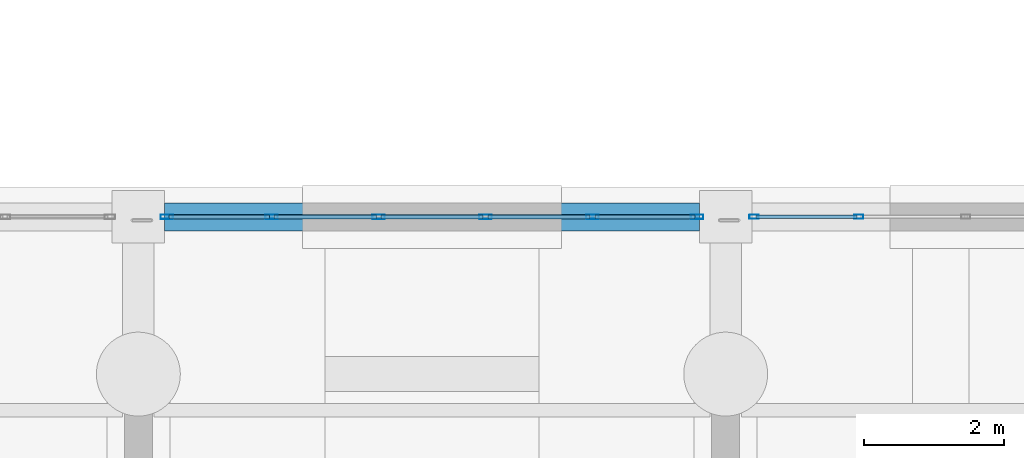
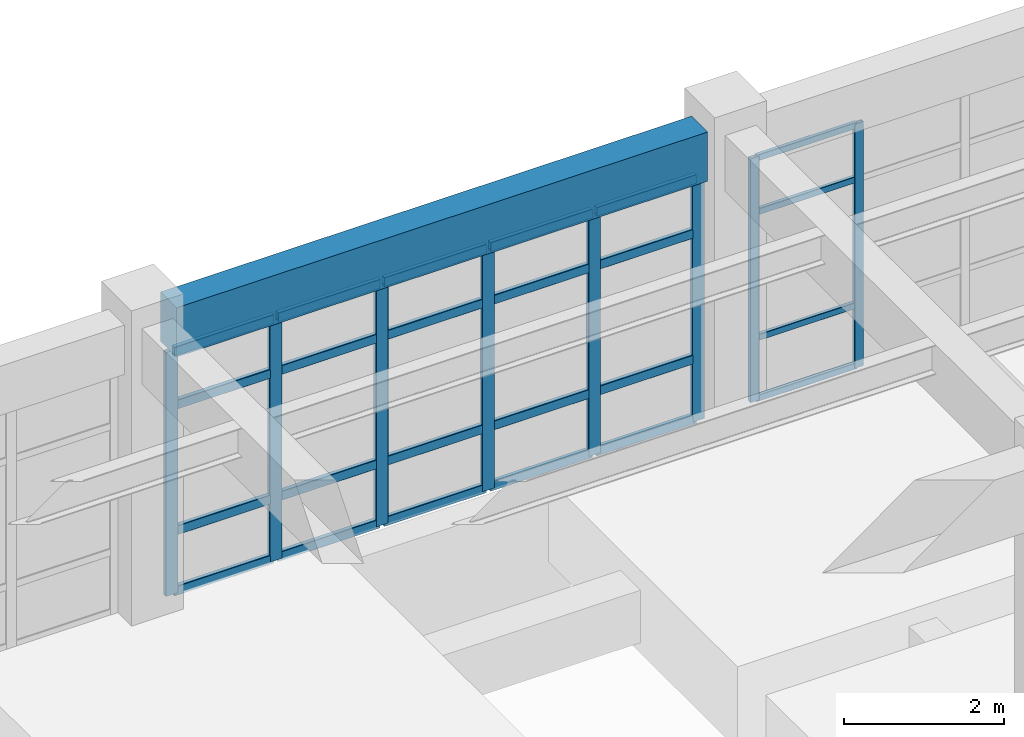
# One storey, part 39 of 111: 32 members, 1 beam, 2 elements without a shape of their own.
"""IFC4 building model written with IfcOpenShell, lengths in metres."""

from ifc_helpers import new_model, si_unit, direction, frame, origin, origin_2d, place, context, subcontext, project, spatial, rectangle, hollow_rectangle, extrude, material, material_profile, profile_set, type_object, element, aggregate, save


model = new_model("IFC4")

# Units and contexts
model_context = context("Model", 3, precision=1e-05, world=origin(), true_north=direction((0.0, 1.0)))
body_context = subcontext(model_context, "Body", "Model", "MODEL_VIEW")
ifc_project = project(units=[si_unit("LENGTHUNIT", "METRE"), si_unit("AREAUNIT", "SQUARE_METRE"), si_unit("VOLUMEUNIT", "CUBIC_METRE"), si_unit("PLANEANGLEUNIT", "RADIAN"), si_unit("MASSUNIT", "GRAM", prefix="KILO")], contexts=[model_context])

# Site, building, storey
site_placement = place(None, origin())
site = spatial("IfcSite", under=ifc_project, at=site_placement, CompositionType="ELEMENT")
building_placement = place(site_placement, origin())
building = spatial("IfcBuilding", under=site, at=building_placement, Name="Canglan Escarpment Cableway Terminal", CompositionType="ELEMENT")
storey_placement = place(building_placement, frame((0.0, 0.0, 4.800048828125)))
storey = spatial("IfcBuildingStorey", under=building, at=storey_placement, Name="L01", CompositionType="ELEMENT", Elevation=4.800048828125)

# Curtain wall, members
ifc_material_1 = material(Name="Anodized bronze aluminium and Low-E double glazing", Category="aluminium")
curtain_wall_type = type_object("IfcCurtainWallType", Name="CW-BAY-7650x3725", PredefinedType="NOTDEFINED", material=ifc_material_1)
curtain_wall_1_placement = place(storey_placement, origin())
curtain_wall_1 = element("IfcCurtainWall", 1, at=curtain_wall_1_placement, inside=storey, type_object=curtain_wall_type, Name="Classical bay-between-piers glazed curtain wall CW-01", PredefinedType="NOTDEFINED")
ifc_material_2 = material(Name="Thermally broken anodized aluminium 6063-T6", Category="aluminium")
ifc_material_profile_1 = material_profile(ifc_material_2, hollow_rectangle(XDim=0.06005859375, YDim=0.1298828125, WallThickness=0.0029296875, InnerFilletRadius=0.0029296875, OuterFilletRadius=0.006103515625, at=origin_2d()), Name="ALU-MULL 60x130x3")
ifc_profile_set_1 = profile_set([ifc_material_profile_1], Name="Thermally broken anodized aluminium 6063-T6")
member_type_1 = type_object("IfcMemberType", Name="CWM-01", PredefinedType="MULLION", material=ifc_profile_set_1)
member_1_placement = place(storey_placement, frame((130.205078125, 33.10009765625, 0.0), z_axis=(0.0, 0.0, 1.0), x_axis=(0.0, -1.0, 0.0)))
member_1 = element("IfcMember", 2, at=member_1_placement, type_object=member_type_1, Name="CW-01 mullion 5", PredefinedType="MULLION", context=body_context, shape_type="SweptSolid", body=[
    extrude(hollow_rectangle(XDim=0.06005859375, YDim=0.1298828125, WallThickness=0.0029296875, InnerFilletRadius=0.0029296875, OuterFilletRadius=0.006103515625, at=origin_2d()), origin(), (0.0, 0.0, 1.0), 3.71484375),
])
member_2_placement = place(storey_placement, frame((128.705078125, 33.10009765625, 0.0), z_axis=(0.0, 0.0, 1.0), x_axis=(0.0, -1.0, 0.0)))
member_2 = element("IfcMember", 3, at=member_2_placement, type_object=member_type_1, Name="CW-01 mullion 6", PredefinedType="MULLION", context=body_context, shape_type="SweptSolid", body=[
    extrude(hollow_rectangle(XDim=0.06005859375, YDim=0.1298828125, WallThickness=0.0029296875, InnerFilletRadius=0.0029296875, OuterFilletRadius=0.006103515625, at=origin_2d()), origin(), (0.0, 0.0, 1.0), 3.71484375),
])

curtain_wall_2_placement = place(storey_placement, origin())
curtain_wall_2 = element("IfcCurtainWall", 4, at=curtain_wall_2_placement, inside=storey, type_object=curtain_wall_type, Name="Classical bay-between-piers glazed curtain wall CW-01", PredefinedType="NOTDEFINED")
ifc_material_profile_2 = material_profile(ifc_material_2, hollow_rectangle(XDim=0.06494140625, YDim=0.179931640625, WallThickness=0.00390625, InnerFilletRadius=0.00390625, OuterFilletRadius=0.008056640625, at=origin_2d()), Name="ALU-MULL 65x180x4")
ifc_profile_set_2 = profile_set([ifc_material_profile_2], Name="Thermally broken anodized aluminium 6063-T6")
member_type_2 = type_object("IfcMemberType", Name="CWM-03", PredefinedType="MULLION", material=ifc_profile_set_2)
member_3_placement = place(storey_placement, frame((127.892578125, 33.10009765625, 0.0), z_axis=(0.0, 0.0, 1.0), x_axis=(0.0, -1.0, 0.0)))
member_3 = element("IfcMember", 5, at=member_3_placement, type_object=member_type_2, Name="CW-01 mullion 1", PredefinedType="MULLION", context=body_context, shape_type="SweptSolid", body=[
    extrude(hollow_rectangle(XDim=0.06494140625, YDim=0.179931640625, WallThickness=0.00390625, InnerFilletRadius=0.00390625, OuterFilletRadius=0.008056640625, at=origin_2d()), origin(), (0.0, 0.0, 1.0), 3.71484375),
])
member_4_placement = place(storey_placement, frame((126.39501953125, 33.10009765625, 0.0), z_axis=(0.0, 0.0, 1.0), x_axis=(0.0, -1.0, 0.0)))
member_4 = element("IfcMember", 6, at=member_4_placement, type_object=member_type_2, Name="CW-01 mullion 2", PredefinedType="MULLION", context=body_context, shape_type="SweptSolid", body=[
    extrude(hollow_rectangle(XDim=0.06494140625, YDim=0.179931640625, WallThickness=0.00390625, InnerFilletRadius=0.00390625, OuterFilletRadius=0.008056640625, at=origin_2d()), origin(), (0.0, 0.0, 1.0), 3.71484375),
])
member_5_placement = place(storey_placement, frame((124.864990234375, 33.10009765625, 0.0), z_axis=(0.0, 0.0, 1.0), x_axis=(0.0, -1.0, 0.0)))
member_5 = element("IfcMember", 7, at=member_5_placement, type_object=member_type_2, Name="CW-01 mullion 3", PredefinedType="MULLION", context=body_context, shape_type="SweptSolid", body=[
    extrude(hollow_rectangle(XDim=0.06494140625, YDim=0.179931640625, WallThickness=0.00390625, InnerFilletRadius=0.00390625, OuterFilletRadius=0.008056640625, at=origin_2d()), origin(), (0.0, 0.0, 1.0), 3.71484375),
])
member_6_placement = place(storey_placement, frame((123.3349609375, 33.10009765625, 0.0), z_axis=(0.0, 0.0, 1.0), x_axis=(0.0, -1.0, 0.0)))
member_6 = element("IfcMember", 8, at=member_6_placement, type_object=member_type_2, Name="CW-01 mullion 4", PredefinedType="MULLION", context=body_context, shape_type="SweptSolid", body=[
    extrude(hollow_rectangle(XDim=0.06494140625, YDim=0.179931640625, WallThickness=0.00390625, InnerFilletRadius=0.00390625, OuterFilletRadius=0.008056640625, at=origin_2d()), origin(), (0.0, 0.0, 1.0), 3.71484375),
])
member_7_placement = place(storey_placement, frame((121.804931640625, 33.10009765625, 0.0), z_axis=(0.0, 0.0, 1.0), x_axis=(0.0, -1.0, 0.0)))
member_7 = element("IfcMember", 9, at=member_7_placement, type_object=member_type_2, Name="CW-01 mullion 5", PredefinedType="MULLION", context=body_context, shape_type="SweptSolid", body=[
    extrude(hollow_rectangle(XDim=0.06494140625, YDim=0.179931640625, WallThickness=0.00390625, InnerFilletRadius=0.00390625, OuterFilletRadius=0.008056640625, at=origin_2d()), origin(), (0.0, 0.0, 1.0), 3.71484375),
])
member_8_placement = place(storey_placement, frame((120.3076171875, 33.10009765625, 0.0), z_axis=(0.0, 0.0, 1.0), x_axis=(0.0, -1.0, 0.0)))
member_8 = element("IfcMember", 10, at=member_8_placement, type_object=member_type_2, Name="CW-01 mullion 6", PredefinedType="MULLION", context=body_context, shape_type="SweptSolid", body=[
    extrude(hollow_rectangle(XDim=0.06494140625, YDim=0.179931640625, WallThickness=0.00390625, InnerFilletRadius=0.00390625, OuterFilletRadius=0.008056640625, at=origin_2d()), origin(), (0.0, 0.0, 1.0), 3.71484375),
])

# Member
ifc_material_profile_3 = material_profile(ifc_material_2, hollow_rectangle(XDim=0.054931640625, YDim=0.094970703125, WallThickness=0.0029296875, InnerFilletRadius=0.0029296875, OuterFilletRadius=0.006103515625, at=origin_2d()), Name="ALU-TRAN 55x95x3")
ifc_profile_set_3 = profile_set([ifc_material_profile_3], Name="Thermally broken anodized aluminium 6063-T6")
member_type_3 = type_object("IfcMemberType", Name="CWT-01", PredefinedType="USERDEFINED", material=ifc_profile_set_3)
member_9_placement = place(storey_placement, frame((130.175048828125, 33.10009765625, 0.02734375), z_axis=(-1.0, 0.0, 0.0), x_axis=(0.0, -1.0, 0.0)))
member_9 = element("IfcMember", 11, at=member_9_placement, type_object=member_type_3, Name="CW-01 transom 5.1", ObjectType="TRANSOM", PredefinedType="USERDEFINED", context=body_context, shape_type="SweptSolid", body=[
    extrude(hollow_rectangle(XDim=0.054931640625, YDim=0.094970703125, WallThickness=0.0029296875, InnerFilletRadius=0.0029296875, OuterFilletRadius=0.006103515625, at=origin_2d()), origin(), (0.0, 0.0, 1.0), 1.43994140625),
])

member_10_placement = place(storey_placement, frame((130.175048828125, 33.10009765625, 0.949951171875), z_axis=(-1.0, 0.0, 0.0), x_axis=(0.0, -1.0, 0.0)))
member_10 = element("IfcMember", 12, at=member_10_placement, type_object=member_type_3, Name="CW-01 transom 5.2", ObjectType="TRANSOM", PredefinedType="USERDEFINED", context=body_context, shape_type="SweptSolid", body=[
    extrude(hollow_rectangle(XDim=0.054931640625, YDim=0.094970703125, WallThickness=0.0029296875, InnerFilletRadius=0.0029296875, OuterFilletRadius=0.006103515625, at=origin_2d()), origin(), (0.0, 0.0, 1.0), 1.43994140625),
])

member_11_placement = place(storey_placement, frame((130.175048828125, 33.10009765625, 2.864990234375), z_axis=(-1.0, 0.0, 0.0), x_axis=(0.0, -1.0, 0.0)))
member_11 = element("IfcMember", 13, at=member_11_placement, type_object=member_type_3, Name="CW-01 transom 5.3", ObjectType="TRANSOM", PredefinedType="USERDEFINED", context=body_context, shape_type="SweptSolid", body=[
    extrude(hollow_rectangle(XDim=0.054931640625, YDim=0.094970703125, WallThickness=0.0029296875, InnerFilletRadius=0.0029296875, OuterFilletRadius=0.006103515625, at=origin_2d()), origin(), (0.0, 0.0, 1.0), 1.43994140625),
])

member_12_placement = place(storey_placement, frame((130.175048828125, 33.10009765625, 3.6875), z_axis=(-1.0, 0.0, 0.0), x_axis=(0.0, -1.0, 0.0)))
member_12 = element("IfcMember", 14, at=member_12_placement, type_object=member_type_3, Name="CW-01 transom 5.4", ObjectType="TRANSOM", PredefinedType="USERDEFINED", context=body_context, shape_type="SweptSolid", body=[
    extrude(hollow_rectangle(XDim=0.054931640625, YDim=0.094970703125, WallThickness=0.0029296875, InnerFilletRadius=0.0029296875, OuterFilletRadius=0.006103515625, at=origin_2d()), origin(), (0.0, 0.0, 1.0), 1.43994140625),
])

aggregate(curtain_wall_1, [member_1, member_2, member_9, member_10, member_11, member_12])

ifc_material_profile_4 = material_profile(ifc_material_2, hollow_rectangle(XDim=0.06494140625, YDim=0.139892578125, WallThickness=0.00341796875, InnerFilletRadius=0.00341796875, OuterFilletRadius=0.007080078125, at=origin_2d()), Name="ALU-TRAN 65x140x3.5")
ifc_profile_set_4 = profile_set([ifc_material_profile_4], Name="Thermally broken anodized aluminium 6063-T6")
member_type_4 = type_object("IfcMemberType", Name="CWT-03", PredefinedType="USERDEFINED", material=ifc_profile_set_4)
member_13_placement = place(storey_placement, frame((127.860107421875, 33.10009765625, 0.032470703125), z_axis=(-1.0, 0.0, 0.0), x_axis=(0.0, -1.0, 0.0)))
member_13 = element("IfcMember", 15, at=member_13_placement, type_object=member_type_4, Name="CW-01 transom 1.1", ObjectType="TRANSOM", PredefinedType="USERDEFINED", context=body_context, shape_type="SweptSolid", body=[
    extrude(hollow_rectangle(XDim=0.06494140625, YDim=0.139892578125, WallThickness=0.00341796875, InnerFilletRadius=0.00341796875, OuterFilletRadius=0.007080078125, at=origin_2d()), origin(), (0.0, 0.0, 1.0), 1.4326171875),
])

member_14_placement = place(storey_placement, frame((127.860107421875, 33.10009765625, 0.949951171875), z_axis=(-1.0, 0.0, 0.0), x_axis=(0.0, -1.0, 0.0)))
member_14 = element("IfcMember", 16, at=member_14_placement, type_object=member_type_4, Name="CW-01 transom 1.2", ObjectType="TRANSOM", PredefinedType="USERDEFINED", context=body_context, shape_type="SweptSolid", body=[
    extrude(hollow_rectangle(XDim=0.06494140625, YDim=0.139892578125, WallThickness=0.00341796875, InnerFilletRadius=0.00341796875, OuterFilletRadius=0.007080078125, at=origin_2d()), origin(), (0.0, 0.0, 1.0), 1.4326171875),
])

member_15_placement = place(storey_placement, frame((127.860107421875, 33.10009765625, 2.864990234375), z_axis=(-1.0, 0.0, 0.0), x_axis=(0.0, -1.0, 0.0)))
member_15 = element("IfcMember", 17, at=member_15_placement, type_object=member_type_4, Name="CW-01 transom 1.3", ObjectType="TRANSOM", PredefinedType="USERDEFINED", context=body_context, shape_type="SweptSolid", body=[
    extrude(hollow_rectangle(XDim=0.06494140625, YDim=0.139892578125, WallThickness=0.00341796875, InnerFilletRadius=0.00341796875, OuterFilletRadius=0.007080078125, at=origin_2d()), origin(), (0.0, 0.0, 1.0), 1.4326171875),
])

member_16_placement = place(storey_placement, frame((127.860107421875, 33.10009765625, 3.682373046875), z_axis=(-1.0, 0.0, 0.0), x_axis=(0.0, -1.0, 0.0)))
member_16 = element("IfcMember", 18, at=member_16_placement, type_object=member_type_4, Name="CW-01 transom 1.4", ObjectType="TRANSOM", PredefinedType="USERDEFINED", context=body_context, shape_type="SweptSolid", body=[
    extrude(hollow_rectangle(XDim=0.06494140625, YDim=0.139892578125, WallThickness=0.00341796875, InnerFilletRadius=0.00341796875, OuterFilletRadius=0.007080078125, at=origin_2d()), origin(), (0.0, 0.0, 1.0), 1.4326171875),
])

member_17_placement = place(storey_placement, frame((126.362548828125, 33.10009765625, 0.032470703125), z_axis=(-1.0, 0.0, 0.0), x_axis=(0.0, -1.0, 0.0)))
member_17 = element("IfcMember", 19, at=member_17_placement, type_object=member_type_4, Name="CW-01 transom 2.1", ObjectType="TRANSOM", PredefinedType="USERDEFINED", context=body_context, shape_type="SweptSolid", body=[
    extrude(hollow_rectangle(XDim=0.06494140625, YDim=0.139892578125, WallThickness=0.00341796875, InnerFilletRadius=0.00341796875, OuterFilletRadius=0.007080078125, at=origin_2d()), origin(), (0.0, 0.0, 1.0), 1.465087890625),
])

member_18_placement = place(storey_placement, frame((126.362548828125, 33.10009765625, 0.949951171875), z_axis=(-1.0, 0.0, 0.0), x_axis=(0.0, -1.0, 0.0)))
member_18 = element("IfcMember", 20, at=member_18_placement, type_object=member_type_4, Name="CW-01 transom 2.2", ObjectType="TRANSOM", PredefinedType="USERDEFINED", context=body_context, shape_type="SweptSolid", body=[
    extrude(hollow_rectangle(XDim=0.06494140625, YDim=0.139892578125, WallThickness=0.00341796875, InnerFilletRadius=0.00341796875, OuterFilletRadius=0.007080078125, at=origin_2d()), origin(), (0.0, 0.0, 1.0), 1.465087890625),
])

member_19_placement = place(storey_placement, frame((126.362548828125, 33.10009765625, 2.864990234375), z_axis=(-1.0, 0.0, 0.0), x_axis=(0.0, -1.0, 0.0)))
member_19 = element("IfcMember", 21, at=member_19_placement, type_object=member_type_4, Name="CW-01 transom 2.3", ObjectType="TRANSOM", PredefinedType="USERDEFINED", context=body_context, shape_type="SweptSolid", body=[
    extrude(hollow_rectangle(XDim=0.06494140625, YDim=0.139892578125, WallThickness=0.00341796875, InnerFilletRadius=0.00341796875, OuterFilletRadius=0.007080078125, at=origin_2d()), origin(), (0.0, 0.0, 1.0), 1.465087890625),
])

member_20_placement = place(storey_placement, frame((126.362548828125, 33.10009765625, 3.682373046875), z_axis=(-1.0, 0.0, 0.0), x_axis=(0.0, -1.0, 0.0)))
member_20 = element("IfcMember", 22, at=member_20_placement, type_object=member_type_4, Name="CW-01 transom 2.4", ObjectType="TRANSOM", PredefinedType="USERDEFINED", context=body_context, shape_type="SweptSolid", body=[
    extrude(hollow_rectangle(XDim=0.06494140625, YDim=0.139892578125, WallThickness=0.00341796875, InnerFilletRadius=0.00341796875, OuterFilletRadius=0.007080078125, at=origin_2d()), origin(), (0.0, 0.0, 1.0), 1.465087890625),
])

member_21_placement = place(storey_placement, frame((124.83251953125, 33.10009765625, 0.032470703125), z_axis=(-1.0, 0.0, 0.0), x_axis=(0.0, -1.0, 0.0)))
member_21 = element("IfcMember", 23, at=member_21_placement, type_object=member_type_4, Name="CW-01 transom 3.1", ObjectType="TRANSOM", PredefinedType="USERDEFINED", context=body_context, shape_type="SweptSolid", body=[
    extrude(hollow_rectangle(XDim=0.06494140625, YDim=0.139892578125, WallThickness=0.00341796875, InnerFilletRadius=0.00341796875, OuterFilletRadius=0.007080078125, at=origin_2d()), origin(), (0.0, 0.0, 1.0), 1.465087890625),
])

member_22_placement = place(storey_placement, frame((124.83251953125, 33.10009765625, 0.949951171875), z_axis=(-1.0, 0.0, 0.0), x_axis=(0.0, -1.0, 0.0)))
member_22 = element("IfcMember", 24, at=member_22_placement, type_object=member_type_4, Name="CW-01 transom 3.2", ObjectType="TRANSOM", PredefinedType="USERDEFINED", context=body_context, shape_type="SweptSolid", body=[
    extrude(hollow_rectangle(XDim=0.06494140625, YDim=0.139892578125, WallThickness=0.00341796875, InnerFilletRadius=0.00341796875, OuterFilletRadius=0.007080078125, at=origin_2d()), origin(), (0.0, 0.0, 1.0), 1.465087890625),
])

member_23_placement = place(storey_placement, frame((124.83251953125, 33.10009765625, 2.864990234375), z_axis=(-1.0, 0.0, 0.0), x_axis=(0.0, -1.0, 0.0)))
member_23 = element("IfcMember", 25, at=member_23_placement, type_object=member_type_4, Name="CW-01 transom 3.3", ObjectType="TRANSOM", PredefinedType="USERDEFINED", context=body_context, shape_type="SweptSolid", body=[
    extrude(hollow_rectangle(XDim=0.06494140625, YDim=0.139892578125, WallThickness=0.00341796875, InnerFilletRadius=0.00341796875, OuterFilletRadius=0.007080078125, at=origin_2d()), origin(), (0.0, 0.0, 1.0), 1.465087890625),
])

member_24_placement = place(storey_placement, frame((124.83251953125, 33.10009765625, 3.682373046875), z_axis=(-1.0, 0.0, 0.0), x_axis=(0.0, -1.0, 0.0)))
member_24 = element("IfcMember", 26, at=member_24_placement, type_object=member_type_4, Name="CW-01 transom 3.4", ObjectType="TRANSOM", PredefinedType="USERDEFINED", context=body_context, shape_type="SweptSolid", body=[
    extrude(hollow_rectangle(XDim=0.06494140625, YDim=0.139892578125, WallThickness=0.00341796875, InnerFilletRadius=0.00341796875, OuterFilletRadius=0.007080078125, at=origin_2d()), origin(), (0.0, 0.0, 1.0), 1.465087890625),
])

member_25_placement = place(storey_placement, frame((123.302490234375, 33.10009765625, 0.032470703125), z_axis=(-1.0, 0.0, 0.0), x_axis=(0.0, -1.0, 0.0)))
member_25 = element("IfcMember", 27, at=member_25_placement, type_object=member_type_4, Name="CW-01 transom 4.1", ObjectType="TRANSOM", PredefinedType="USERDEFINED", context=body_context, shape_type="SweptSolid", body=[
    extrude(hollow_rectangle(XDim=0.06494140625, YDim=0.139892578125, WallThickness=0.00341796875, InnerFilletRadius=0.00341796875, OuterFilletRadius=0.007080078125, at=origin_2d()), origin(), (0.0, 0.0, 1.0), 1.465087890625),
])

member_26_placement = place(storey_placement, frame((123.302490234375, 33.10009765625, 0.949951171875), z_axis=(-1.0, 0.0, 0.0), x_axis=(0.0, -1.0, 0.0)))
member_26 = element("IfcMember", 28, at=member_26_placement, type_object=member_type_4, Name="CW-01 transom 4.2", ObjectType="TRANSOM", PredefinedType="USERDEFINED", context=body_context, shape_type="SweptSolid", body=[
    extrude(hollow_rectangle(XDim=0.06494140625, YDim=0.139892578125, WallThickness=0.00341796875, InnerFilletRadius=0.00341796875, OuterFilletRadius=0.007080078125, at=origin_2d()), origin(), (0.0, 0.0, 1.0), 1.465087890625),
])

member_27_placement = place(storey_placement, frame((123.302490234375, 33.10009765625, 2.864990234375), z_axis=(-1.0, 0.0, 0.0), x_axis=(0.0, -1.0, 0.0)))
member_27 = element("IfcMember", 29, at=member_27_placement, type_object=member_type_4, Name="CW-01 transom 4.3", ObjectType="TRANSOM", PredefinedType="USERDEFINED", context=body_context, shape_type="SweptSolid", body=[
    extrude(hollow_rectangle(XDim=0.06494140625, YDim=0.139892578125, WallThickness=0.00341796875, InnerFilletRadius=0.00341796875, OuterFilletRadius=0.007080078125, at=origin_2d()), origin(), (0.0, 0.0, 1.0), 1.465087890625),
])

member_28_placement = place(storey_placement, frame((123.302490234375, 33.10009765625, 3.682373046875), z_axis=(-1.0, 0.0, 0.0), x_axis=(0.0, -1.0, 0.0)))
member_28 = element("IfcMember", 30, at=member_28_placement, type_object=member_type_4, Name="CW-01 transom 4.4", ObjectType="TRANSOM", PredefinedType="USERDEFINED", context=body_context, shape_type="SweptSolid", body=[
    extrude(hollow_rectangle(XDim=0.06494140625, YDim=0.139892578125, WallThickness=0.00341796875, InnerFilletRadius=0.00341796875, OuterFilletRadius=0.007080078125, at=origin_2d()), origin(), (0.0, 0.0, 1.0), 1.465087890625),
])

member_29_placement = place(storey_placement, frame((121.7724609375, 33.10009765625, 0.032470703125), z_axis=(-1.0, 0.0, 0.0), x_axis=(0.0, -1.0, 0.0)))
member_29 = element("IfcMember", 31, at=member_29_placement, type_object=member_type_4, Name="CW-01 transom 5.1", ObjectType="TRANSOM", PredefinedType="USERDEFINED", context=body_context, shape_type="SweptSolid", body=[
    extrude(hollow_rectangle(XDim=0.06494140625, YDim=0.139892578125, WallThickness=0.00341796875, InnerFilletRadius=0.00341796875, OuterFilletRadius=0.007080078125, at=origin_2d()), origin(), (0.0, 0.0, 1.0), 1.432373046875),
])

member_30_placement = place(storey_placement, frame((121.7724609375, 33.10009765625, 0.949951171875), z_axis=(-1.0, 0.0, 0.0), x_axis=(0.0, -1.0, 0.0)))
member_30 = element("IfcMember", 32, at=member_30_placement, type_object=member_type_4, Name="CW-01 transom 5.2", ObjectType="TRANSOM", PredefinedType="USERDEFINED", context=body_context, shape_type="SweptSolid", body=[
    extrude(hollow_rectangle(XDim=0.06494140625, YDim=0.139892578125, WallThickness=0.00341796875, InnerFilletRadius=0.00341796875, OuterFilletRadius=0.007080078125, at=origin_2d()), origin(), (0.0, 0.0, 1.0), 1.432373046875),
])

member_31_placement = place(storey_placement, frame((121.7724609375, 33.10009765625, 2.864990234375), z_axis=(-1.0, 0.0, 0.0), x_axis=(0.0, -1.0, 0.0)))
member_31 = element("IfcMember", 33, at=member_31_placement, type_object=member_type_4, Name="CW-01 transom 5.3", ObjectType="TRANSOM", PredefinedType="USERDEFINED", context=body_context, shape_type="SweptSolid", body=[
    extrude(hollow_rectangle(XDim=0.06494140625, YDim=0.139892578125, WallThickness=0.00341796875, InnerFilletRadius=0.00341796875, OuterFilletRadius=0.007080078125, at=origin_2d()), origin(), (0.0, 0.0, 1.0), 1.432373046875),
])

member_32_placement = place(storey_placement, frame((121.7724609375, 33.10009765625, 3.682373046875), z_axis=(-1.0, 0.0, 0.0), x_axis=(0.0, -1.0, 0.0)))
member_32 = element("IfcMember", 34, at=member_32_placement, type_object=member_type_4, Name="CW-01 transom 5.4", ObjectType="TRANSOM", PredefinedType="USERDEFINED", context=body_context, shape_type="SweptSolid", body=[
    extrude(hollow_rectangle(XDim=0.06494140625, YDim=0.139892578125, WallThickness=0.00341796875, InnerFilletRadius=0.00341796875, OuterFilletRadius=0.007080078125, at=origin_2d()), origin(), (0.0, 0.0, 1.0), 1.432373046875),
])

aggregate(curtain_wall_2, [member_3, member_4, member_5, member_6, member_7, member_8, member_13, member_14, member_15, member_16, member_17, member_18, member_19, member_20, member_21, member_22, member_23, member_24, member_25, member_26, member_27, member_28, member_29, member_30, member_31, member_32])

# Beam
ifc_material_3 = material(Name="Concrete C40", Category="concrete")
ifc_material_profile_5 = material_profile(ifc_material_3, rectangle(XDim=0.39990234375, YDim=0.75, at=origin_2d()), Name="RC 400x750")
ifc_profile_set_5 = profile_set([ifc_material_profile_5], Name="Concrete C40")
beam_type = type_object("IfcBeamType", Name="SP-RC400x750", PredefinedType="SPANDREL", material=ifc_profile_set_5)
beam_placement = place(storey_placement, frame((120.27490234375, 33.10009765625, 4.10498046875), z_axis=(1.0, 0.0, 0.0), x_axis=(0.0, 1.0, 0.0)))
element("IfcBeam", 35, at=beam_placement, inside=storey, type_object=beam_type, Name="Primary structural girder SP-01", PredefinedType="SPANDREL", context=body_context, shape_type="SweptSolid", body=[
    extrude(rectangle(XDim=0.39990234375, YDim=0.75, at=origin_2d()), origin(), (0.0, 0.0, 1.0), 7.650146484375),
])

save(model, "model.ifc")
